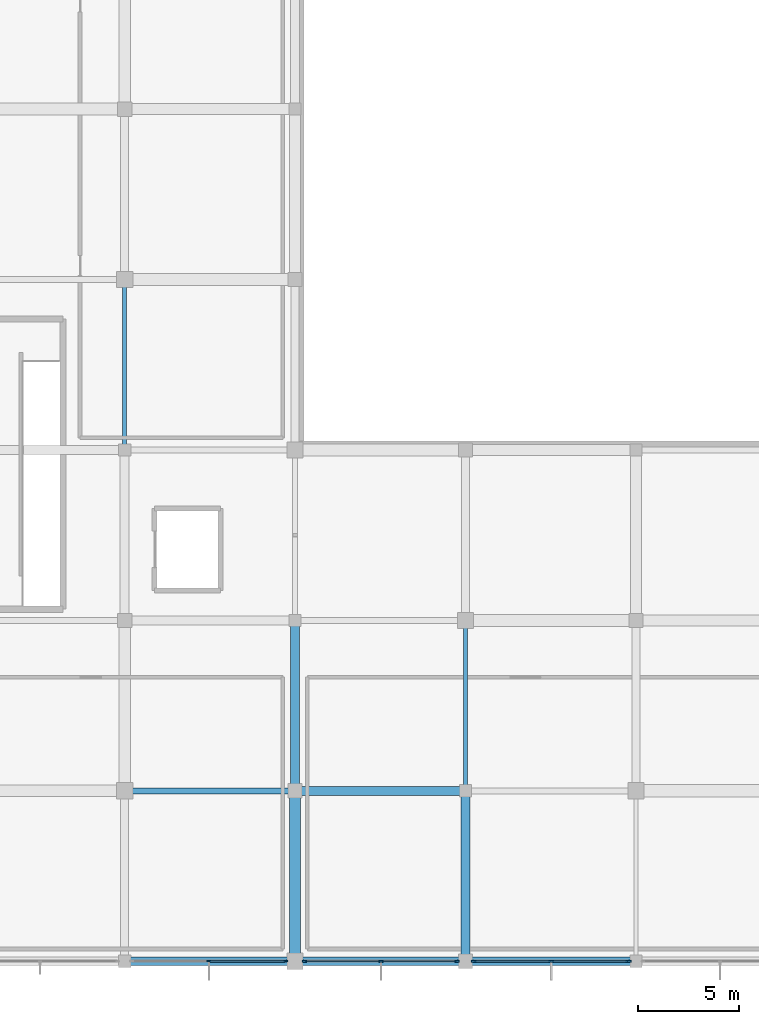
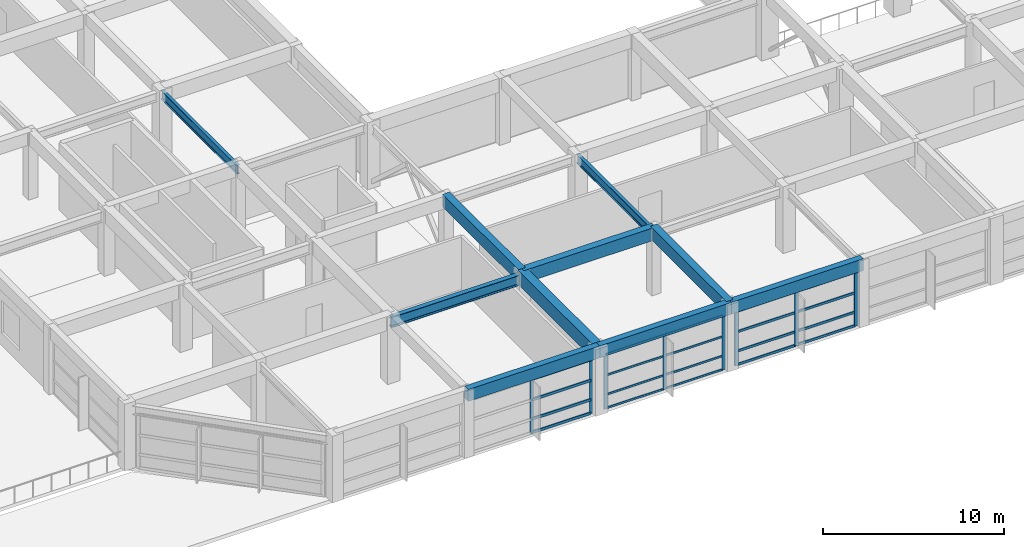
# One storey, part 11 of 56: 28 members, 10 beams, 3 elements without a shape of their own.
"""IFC4 building model written with IfcOpenShell, lengths in metres."""

from ifc_helpers import new_model, si_unit, direction, frame, origin, origin_2d, place, context, subcontext, project, spatial, rectangle, i_section, extrude, material, material_profile, profile_set, type_object, element, aggregate, save


model = new_model("IFC4")

# Units and contexts
model_context = context("Model", 3, precision=1e-05, world=origin(), true_north=direction((0.0, 1.0)))
body_context = subcontext(model_context, "Body", "Model", "MODEL_VIEW")
ifc_project = project(units=[si_unit("LENGTHUNIT", "METRE"), si_unit("AREAUNIT", "SQUARE_METRE"), si_unit("VOLUMEUNIT", "CUBIC_METRE"), si_unit("PLANEANGLEUNIT", "RADIAN"), si_unit("MASSUNIT", "GRAM", prefix="KILO")], contexts=[model_context])

# Site, building, storey
site_placement = place(None, origin())
site = spatial("IfcSite", under=ifc_project, at=site_placement, CompositionType="ELEMENT")
building_placement = place(site_placement, origin())
building = spatial("IfcBuilding", under=site, at=building_placement, Name="Xuanlan Plaza Opera House", CompositionType="ELEMENT")
storey_placement = place(building_placement, frame((0.0, 0.0, 18.89990234375)))
storey = spatial("IfcBuildingStorey", under=building, at=storey_placement, Name="L04", CompositionType="ELEMENT", Elevation=18.89990234375)

# Curtain wall, members
ifc_material_1 = material(Name="Anodised Aluminium 6063-T6 and Low-E Glass", Category="aluminium")
curtain_wall_type_1 = type_object("IfcCurtainWallType", Name="ENV-CW-CW-04", PredefinedType="USERDEFINED", material=ifc_material_1)
curtain_wall_1_placement = place(storey_placement, origin())
curtain_wall_1 = element("IfcCurtainWall", 1, at=curtain_wall_1_placement, inside=storey, type_object=curtain_wall_type_1, Name="Unitised Curtain Wall L04-002", ObjectType="UNITISED CURTAIN WALL", PredefinedType="USERDEFINED")
ifc_material_2 = material(Name="Anodised Aluminium 6063-T6", Category="aluminium")
ifc_material_profile_1 = material_profile(ifc_material_2, rectangle(XDim=0.074951171875, YDim=0.199951171875, at=origin_2d()), Name="ALU-M 75x200")
ifc_profile_set_1 = profile_set([ifc_material_profile_1], Name="Anodised Aluminium 6063-T6")
member_type_1 = type_object("IfcMemberType", Name="ENV-CWM-03", PredefinedType="MULLION", material=ifc_profile_set_1)
member_1_placement = place(storey_placement, frame((37.75, 16.800048828125, 0.0), z_axis=(0.0, 0.0, 1.0), x_axis=(0.0, 1.0, 0.0)))
member_1 = element("IfcMember", 2, at=member_1_placement, type_object=member_type_1, Name="CW-04 mullion 2", PredefinedType="MULLION", context=body_context, shape_type="SweptSolid", body=[
    extrude(rectangle(XDim=0.074951171875, YDim=0.199951171875, at=origin_2d()), origin(), (0.0, 0.0, 1.0), 3.68017578125),
])
member_2_placement = place(storey_placement, frame((41.54248046875, 16.800048828125, 0.0), z_axis=(0.0, 0.0, 1.0), x_axis=(0.0, 1.0, 0.0)))
member_2 = element("IfcMember", 3, at=member_2_placement, type_object=member_type_1, Name="CW-04 mullion 3", PredefinedType="MULLION", context=body_context, shape_type="SweptSolid", body=[
    extrude(rectangle(XDim=0.074951171875, YDim=0.199951171875, at=origin_2d()), origin(), (0.0, 0.0, 1.0), 3.68017578125),
])

curtain_wall_type_2 = type_object("IfcCurtainWallType", Name="ENV-CW-CW-01", PredefinedType="USERDEFINED", material=ifc_material_1)
curtain_wall_2_placement = place(storey_placement, origin())
curtain_wall_2 = element("IfcCurtainWall", 4, at=curtain_wall_2_placement, inside=storey, type_object=curtain_wall_type_2, Name="Unitised Curtain Wall L04-003", ObjectType="UNITISED CURTAIN WALL", PredefinedType="USERDEFINED")
ifc_material_profile_2 = material_profile(ifc_material_2, rectangle(XDim=0.080078125, YDim=0.219970703125, at=origin_2d()), Name="ALU-M 80x220")
ifc_profile_set_2 = profile_set([ifc_material_profile_2], Name="Anodised Aluminium 6063-T6")
member_type_2 = type_object("IfcMemberType", Name="ENV-CWM-04", PredefinedType="MULLION", material=ifc_profile_set_2)
member_3_placement = place(storey_placement, frame((42.4599609375, 16.800048828125, 0.0), z_axis=(0.0, 0.0, 1.0), x_axis=(0.0, 1.0, 0.0)))
member_3 = element("IfcMember", 5, at=member_3_placement, type_object=member_type_2, Name="CW-01 mullion 1", PredefinedType="MULLION", context=body_context, shape_type="SweptSolid", body=[
    extrude(rectangle(XDim=0.080078125, YDim=0.219970703125, at=origin_2d()), origin(), (0.0, 0.0, 1.0), 3.68017578125),
])
member_4_placement = place(storey_placement, frame((46.22509765625, 16.800048828125, 0.0), z_axis=(0.0, 0.0, 1.0), x_axis=(0.0, 1.0, 0.0)))
member_4 = element("IfcMember", 6, at=member_4_placement, type_object=member_type_2, Name="CW-01 mullion 2", PredefinedType="MULLION", context=body_context, shape_type="SweptSolid", body=[
    extrude(rectangle(XDim=0.080078125, YDim=0.219970703125, at=origin_2d()), origin(), (0.0, 0.0, 1.0), 3.68017578125),
])
member_5_placement = place(storey_placement, frame((49.989990234375, 16.800048828125, 0.0), z_axis=(0.0, 0.0, 1.0), x_axis=(0.0, 1.0, 0.0)))
member_5 = element("IfcMember", 7, at=member_5_placement, type_object=member_type_2, Name="CW-01 mullion 3", PredefinedType="MULLION", context=body_context, shape_type="SweptSolid", body=[
    extrude(rectangle(XDim=0.080078125, YDim=0.219970703125, at=origin_2d()), origin(), (0.0, 0.0, 1.0), 3.68017578125),
])

curtain_wall_type_3 = type_object("IfcCurtainWallType", Name="ENV-CW-CW-02", PredefinedType="USERDEFINED", material=ifc_material_1)
curtain_wall_3_placement = place(storey_placement, origin())
curtain_wall_3 = element("IfcCurtainWall", 8, at=curtain_wall_3_placement, inside=storey, type_object=curtain_wall_type_3, Name="Unitised Curtain Wall L04-004", ObjectType="UNITISED CURTAIN WALL", PredefinedType="USERDEFINED")
ifc_material_profile_3 = material_profile(ifc_material_2, rectangle(XDim=0.090087890625, YDim=0.25, at=origin_2d()), Name="ALU-M 90x250")
ifc_profile_set_3 = profile_set([ifc_material_profile_3], Name="Anodised Aluminium 6063-T6")
member_type_3 = type_object("IfcMemberType", Name="ENV-CWM-05", PredefinedType="MULLION", material=ifc_profile_set_3)
member_6_placement = place(storey_placement, frame((50.81494140625, 16.800048828125, 0.0), z_axis=(0.0, 0.0, 1.0), x_axis=(0.0, 1.0, 0.0)))
member_6 = element("IfcMember", 9, at=member_6_placement, type_object=member_type_3, Name="CW-02 mullion 1", PredefinedType="MULLION", context=body_context, shape_type="SweptSolid", body=[
    extrude(rectangle(XDim=0.090087890625, YDim=0.25, at=origin_2d()), origin(), (0.0, 0.0, 1.0), 3.68017578125),
])
member_7_placement = place(storey_placement, frame((54.625, 16.800048828125, 0.0), z_axis=(0.0, 0.0, 1.0), x_axis=(0.0, 1.0, 0.0)))
member_7 = element("IfcMember", 10, at=member_7_placement, type_object=member_type_3, Name="CW-02 mullion 2", PredefinedType="MULLION", context=body_context, shape_type="SweptSolid", body=[
    extrude(rectangle(XDim=0.090087890625, YDim=0.25, at=origin_2d()), origin(), (0.0, 0.0, 1.0), 3.68017578125),
])
member_8_placement = place(storey_placement, frame((58.43505859375, 16.800048828125, 0.0), z_axis=(0.0, 0.0, 1.0), x_axis=(0.0, 1.0, 0.0)))
member_8 = element("IfcMember", 11, at=member_8_placement, type_object=member_type_3, Name="CW-02 mullion 3", PredefinedType="MULLION", context=body_context, shape_type="SweptSolid", body=[
    extrude(rectangle(XDim=0.090087890625, YDim=0.25, at=origin_2d()), origin(), (0.0, 0.0, 1.0), 3.68017578125),
])

# Member
ifc_material_profile_4 = material_profile(ifc_material_2, rectangle(XDim=0.070068359375, YDim=0.135009765625, at=origin_2d()), Name="ALU-T 70x135")
ifc_profile_set_4 = profile_set([ifc_material_profile_4], Name="Anodised Aluminium 6063-T6")
member_type_4 = type_object("IfcMemberType", Name="ENV-CWT-02", PredefinedType="USERDEFINED", material=ifc_profile_set_4)
member_9_placement = place(storey_placement, frame((42.5, 16.800048828125, 0.03515625), z_axis=(1.0, 0.0, 0.0), x_axis=(0.0, 1.0, 0.0)))
member_9 = element("IfcMember", 12, at=member_9_placement, type_object=member_type_4, Name="CW-01 transom 1.1", ObjectType="TRANSOM", PredefinedType="USERDEFINED", context=body_context, shape_type="SweptSolid", body=[
    extrude(rectangle(XDim=0.070068359375, YDim=0.135009765625, at=origin_2d()), origin(), (0.0, 0.0, 1.0), 3.68505859375),
])

member_10_placement = place(storey_placement, frame((42.5, 16.800048828125, 0.9501953125), z_axis=(1.0, 0.0, 0.0), x_axis=(0.0, 1.0, 0.0)))
member_10 = element("IfcMember", 13, at=member_10_placement, type_object=member_type_4, Name="CW-01 transom 1.2", ObjectType="TRANSOM", PredefinedType="USERDEFINED", context=body_context, shape_type="SweptSolid", body=[
    extrude(rectangle(XDim=0.070068359375, YDim=0.135009765625, at=origin_2d()), origin(), (0.0, 0.0, 1.0), 3.68505859375),
])

member_11_placement = place(storey_placement, frame((42.5, 16.800048828125, 2.25), z_axis=(1.0, 0.0, 0.0), x_axis=(0.0, 1.0, 0.0)))
member_11 = element("IfcMember", 14, at=member_11_placement, type_object=member_type_4, Name="CW-01 transom 1.3", ObjectType="TRANSOM", PredefinedType="USERDEFINED", context=body_context, shape_type="SweptSolid", body=[
    extrude(rectangle(XDim=0.070068359375, YDim=0.135009765625, at=origin_2d()), origin(), (0.0, 0.0, 1.0), 3.68505859375),
])

member_12_placement = place(storey_placement, frame((42.5, 16.800048828125, 3.64501953125), z_axis=(1.0, 0.0, 0.0), x_axis=(0.0, 1.0, 0.0)))
member_12 = element("IfcMember", 15, at=member_12_placement, type_object=member_type_4, Name="CW-01 transom 1.4", ObjectType="TRANSOM", PredefinedType="USERDEFINED", context=body_context, shape_type="SweptSolid", body=[
    extrude(rectangle(XDim=0.070068359375, YDim=0.135009765625, at=origin_2d()), origin(), (0.0, 0.0, 1.0), 3.68505859375),
])

member_13_placement = place(storey_placement, frame((46.264892578125, 16.800048828125, 0.03515625), z_axis=(1.0, 0.0, 0.0), x_axis=(0.0, 1.0, 0.0)))
member_13 = element("IfcMember", 16, at=member_13_placement, type_object=member_type_4, Name="CW-01 transom 2.1", ObjectType="TRANSOM", PredefinedType="USERDEFINED", context=body_context, shape_type="SweptSolid", body=[
    extrude(rectangle(XDim=0.070068359375, YDim=0.135009765625, at=origin_2d()), origin(), (0.0, 0.0, 1.0), 3.68505859375),
])

member_14_placement = place(storey_placement, frame((46.264892578125, 16.800048828125, 0.9501953125), z_axis=(1.0, 0.0, 0.0), x_axis=(0.0, 1.0, 0.0)))
member_14 = element("IfcMember", 17, at=member_14_placement, type_object=member_type_4, Name="CW-01 transom 2.2", ObjectType="TRANSOM", PredefinedType="USERDEFINED", context=body_context, shape_type="SweptSolid", body=[
    extrude(rectangle(XDim=0.070068359375, YDim=0.135009765625, at=origin_2d()), origin(), (0.0, 0.0, 1.0), 3.68505859375),
])

member_15_placement = place(storey_placement, frame((46.264892578125, 16.800048828125, 2.25), z_axis=(1.0, 0.0, 0.0), x_axis=(0.0, 1.0, 0.0)))
member_15 = element("IfcMember", 18, at=member_15_placement, type_object=member_type_4, Name="CW-01 transom 2.3", ObjectType="TRANSOM", PredefinedType="USERDEFINED", context=body_context, shape_type="SweptSolid", body=[
    extrude(rectangle(XDim=0.070068359375, YDim=0.135009765625, at=origin_2d()), origin(), (0.0, 0.0, 1.0), 3.68505859375),
])

member_16_placement = place(storey_placement, frame((46.264892578125, 16.800048828125, 3.64501953125), z_axis=(1.0, 0.0, 0.0), x_axis=(0.0, 1.0, 0.0)))
member_16 = element("IfcMember", 19, at=member_16_placement, type_object=member_type_4, Name="CW-01 transom 2.4", ObjectType="TRANSOM", PredefinedType="USERDEFINED", context=body_context, shape_type="SweptSolid", body=[
    extrude(rectangle(XDim=0.070068359375, YDim=0.135009765625, at=origin_2d()), origin(), (0.0, 0.0, 1.0), 3.68505859375),
])

aggregate(curtain_wall_2, [member_3, member_4, member_5, member_9, member_10, member_11, member_12, member_13, member_14, member_15, member_16])

ifc_material_profile_5 = material_profile(ifc_material_2, rectangle(XDim=0.080078125, YDim=0.1650390625, at=origin_2d()), Name="ALU-T 80x165")
ifc_profile_set_5 = profile_set([ifc_material_profile_5], Name="Anodised Aluminium 6063-T6")
member_type_5 = type_object("IfcMemberType", Name="ENV-CWT-04", PredefinedType="USERDEFINED", material=ifc_profile_set_5)
member_17_placement = place(storey_placement, frame((50.860107421875, 16.800048828125, 0.0400390625), z_axis=(1.0, 0.0, 0.0), x_axis=(0.0, 1.0, 0.0)))
member_17 = element("IfcMember", 20, at=member_17_placement, type_object=member_type_5, Name="CW-02 transom 1.1", ObjectType="TRANSOM", PredefinedType="USERDEFINED", context=body_context, shape_type="SweptSolid", body=[
    extrude(rectangle(XDim=0.080078125, YDim=0.1650390625, at=origin_2d()), origin(), (0.0, 0.0, 1.0), 3.719970703125),
])

member_18_placement = place(storey_placement, frame((50.860107421875, 16.800048828125, 0.9501953125), z_axis=(1.0, 0.0, 0.0), x_axis=(0.0, 1.0, 0.0)))
member_18 = element("IfcMember", 21, at=member_18_placement, type_object=member_type_5, Name="CW-02 transom 1.2", ObjectType="TRANSOM", PredefinedType="USERDEFINED", context=body_context, shape_type="SweptSolid", body=[
    extrude(rectangle(XDim=0.080078125, YDim=0.1650390625, at=origin_2d()), origin(), (0.0, 0.0, 1.0), 3.719970703125),
])

member_19_placement = place(storey_placement, frame((50.860107421875, 16.800048828125, 2.25), z_axis=(1.0, 0.0, 0.0), x_axis=(0.0, 1.0, 0.0)))
member_19 = element("IfcMember", 22, at=member_19_placement, type_object=member_type_5, Name="CW-02 transom 1.3", ObjectType="TRANSOM", PredefinedType="USERDEFINED", context=body_context, shape_type="SweptSolid", body=[
    extrude(rectangle(XDim=0.080078125, YDim=0.1650390625, at=origin_2d()), origin(), (0.0, 0.0, 1.0), 3.719970703125),
])

member_20_placement = place(storey_placement, frame((50.860107421875, 16.800048828125, 3.64013671875), z_axis=(1.0, 0.0, 0.0), x_axis=(0.0, 1.0, 0.0)))
member_20 = element("IfcMember", 23, at=member_20_placement, type_object=member_type_5, Name="CW-02 transom 1.4", ObjectType="TRANSOM", PredefinedType="USERDEFINED", context=body_context, shape_type="SweptSolid", body=[
    extrude(rectangle(XDim=0.080078125, YDim=0.1650390625, at=origin_2d()), origin(), (0.0, 0.0, 1.0), 3.719970703125),
])

member_21_placement = place(storey_placement, frame((54.669921875, 16.800048828125, 0.0400390625), z_axis=(1.0, 0.0, 0.0), x_axis=(0.0, 1.0, 0.0)))
member_21 = element("IfcMember", 24, at=member_21_placement, type_object=member_type_5, Name="CW-02 transom 2.1", ObjectType="TRANSOM", PredefinedType="USERDEFINED", context=body_context, shape_type="SweptSolid", body=[
    extrude(rectangle(XDim=0.080078125, YDim=0.1650390625, at=origin_2d()), origin(), (0.0, 0.0, 1.0), 3.719970703125),
])

member_22_placement = place(storey_placement, frame((54.669921875, 16.800048828125, 0.9501953125), z_axis=(1.0, 0.0, 0.0), x_axis=(0.0, 1.0, 0.0)))
member_22 = element("IfcMember", 25, at=member_22_placement, type_object=member_type_5, Name="CW-02 transom 2.2", ObjectType="TRANSOM", PredefinedType="USERDEFINED", context=body_context, shape_type="SweptSolid", body=[
    extrude(rectangle(XDim=0.080078125, YDim=0.1650390625, at=origin_2d()), origin(), (0.0, 0.0, 1.0), 3.719970703125),
])

member_23_placement = place(storey_placement, frame((54.669921875, 16.800048828125, 2.25), z_axis=(1.0, 0.0, 0.0), x_axis=(0.0, 1.0, 0.0)))
member_23 = element("IfcMember", 26, at=member_23_placement, type_object=member_type_5, Name="CW-02 transom 2.3", ObjectType="TRANSOM", PredefinedType="USERDEFINED", context=body_context, shape_type="SweptSolid", body=[
    extrude(rectangle(XDim=0.080078125, YDim=0.1650390625, at=origin_2d()), origin(), (0.0, 0.0, 1.0), 3.719970703125),
])

member_24_placement = place(storey_placement, frame((54.669921875, 16.800048828125, 3.64013671875), z_axis=(1.0, 0.0, 0.0), x_axis=(0.0, 1.0, 0.0)))
member_24 = element("IfcMember", 27, at=member_24_placement, type_object=member_type_5, Name="CW-02 transom 2.4", ObjectType="TRANSOM", PredefinedType="USERDEFINED", context=body_context, shape_type="SweptSolid", body=[
    extrude(rectangle(XDim=0.080078125, YDim=0.1650390625, at=origin_2d()), origin(), (0.0, 0.0, 1.0), 3.719970703125),
])

aggregate(curtain_wall_3, [member_6, member_7, member_8, member_17, member_18, member_19, member_20, member_21, member_22, member_23, member_24])

ifc_material_profile_6 = material_profile(ifc_material_2, rectangle(XDim=0.090087890625, YDim=0.179931640625, at=origin_2d()), Name="ALU-T 90x180")
ifc_profile_set_6 = profile_set([ifc_material_profile_6], Name="Anodised Aluminium 6063-T6")
member_type_6 = type_object("IfcMemberType", Name="ENV-CWT-05", PredefinedType="USERDEFINED", material=ifc_profile_set_6)
member_25_placement = place(storey_placement, frame((37.78759765625, 16.800048828125, 0.045166015625), z_axis=(1.0, 0.0, 0.0), x_axis=(0.0, 1.0, 0.0)))
member_25 = element("IfcMember", 28, at=member_25_placement, type_object=member_type_6, Name="CW-04 transom 2.1", ObjectType="TRANSOM", PredefinedType="USERDEFINED", context=body_context, shape_type="SweptSolid", body=[
    extrude(rectangle(XDim=0.090087890625, YDim=0.179931640625, at=origin_2d()), origin(), (0.0, 0.0, 1.0), 3.71728515625),
])

member_26_placement = place(storey_placement, frame((37.78759765625, 16.800048828125, 0.9501953125), z_axis=(1.0, 0.0, 0.0), x_axis=(0.0, 1.0, 0.0)))
member_26 = element("IfcMember", 29, at=member_26_placement, type_object=member_type_6, Name="CW-04 transom 2.2", ObjectType="TRANSOM", PredefinedType="USERDEFINED", context=body_context, shape_type="SweptSolid", body=[
    extrude(rectangle(XDim=0.090087890625, YDim=0.179931640625, at=origin_2d()), origin(), (0.0, 0.0, 1.0), 3.71728515625),
])

member_27_placement = place(storey_placement, frame((37.78759765625, 16.800048828125, 2.25), z_axis=(1.0, 0.0, 0.0), x_axis=(0.0, 1.0, 0.0)))
member_27 = element("IfcMember", 30, at=member_27_placement, type_object=member_type_6, Name="CW-04 transom 2.3", ObjectType="TRANSOM", PredefinedType="USERDEFINED", context=body_context, shape_type="SweptSolid", body=[
    extrude(rectangle(XDim=0.090087890625, YDim=0.179931640625, at=origin_2d()), origin(), (0.0, 0.0, 1.0), 3.71728515625),
])

member_28_placement = place(storey_placement, frame((37.78759765625, 16.800048828125, 3.635009765625), z_axis=(1.0, 0.0, 0.0), x_axis=(0.0, 1.0, 0.0)))
member_28 = element("IfcMember", 31, at=member_28_placement, type_object=member_type_6, Name="CW-04 transom 2.4", ObjectType="TRANSOM", PredefinedType="USERDEFINED", context=body_context, shape_type="SweptSolid", body=[
    extrude(rectangle(XDim=0.090087890625, YDim=0.179931640625, at=origin_2d()), origin(), (0.0, 0.0, 1.0), 3.71728515625),
])

aggregate(curtain_wall_1, [member_1, member_2, member_25, member_26, member_27, member_28])

# Beams
ifc_material_3 = material(Name="Concrete C50", Category="concrete")
ifc_material_profile_7 = material_profile(ifc_material_3, rectangle(XDim=0.550048828125, YDim=0.949951171875, at=origin_2d()), Name="RC-BM 550x950")
ifc_profile_set_7 = profile_set([ifc_material_profile_7], Name="Concrete C50")
beam_type_1 = type_object("IfcBeamType", Name="STR-BM-B-02", PredefinedType="BEAM", material=ifc_profile_set_7)
beam_1_placement = place(storey_placement, frame((42.0, 16.800048828125, 4.025146484375), z_axis=(0.0, 1.0, 0.0), x_axis=(-1.0, 0.0, 0.0)))
element("IfcBeam", 32, at=beam_1_placement, inside=storey, type_object=beam_type_1, Name="Grid Beam Y L04 6/C-D", PredefinedType="BEAM", context=body_context, shape_type="SweptSolid", body=[
    extrude(rectangle(XDim=0.550048828125, YDim=0.949951171875, at=origin_2d()), origin(), (0.0, 0.0, 1.0), 8.39990234375),
])
ifc_material_4 = material(Name="Concrete C40", Category="concrete")
ifc_material_profile_8 = material_profile(ifc_material_4, rectangle(XDim=0.449951171875, YDim=0.85009765625, at=origin_2d()), Name="RC-BM 450x850")
ifc_profile_set_8 = profile_set([ifc_material_profile_8], Name="Concrete C40")
beam_type_2 = type_object("IfcBeamType", Name="STR-BM-B-04", PredefinedType="BEAM", material=ifc_profile_set_8)
beam_2_placement = place(storey_placement, frame((42.0, 25.199951171875, 4.0751953125), z_axis=(1.0, 0.0, 0.0), x_axis=(0.0, 1.0, 0.0)))
element("IfcBeam", 33, at=beam_2_placement, inside=storey, type_object=beam_type_2, Name="Grid Beam X L04 6-7/D", PredefinedType="BEAM", context=body_context, shape_type="SweptSolid", body=[
    extrude(rectangle(XDim=0.449951171875, YDim=0.85009765625, at=origin_2d()), origin(), (0.0, 0.0, 1.0), 8.39990234375),
])
beam_3_placement = place(storey_placement, frame((42.0, 25.199951171875, 4.0751953125), z_axis=(0.0, 1.0, 0.0), x_axis=(-1.0, 0.0, 0.0)))
element("IfcBeam", 34, at=beam_3_placement, inside=storey, type_object=beam_type_2, Name="Grid Beam Y L04 6/D-E", PredefinedType="BEAM", context=body_context, shape_type="SweptSolid", body=[
    extrude(rectangle(XDim=0.449951171875, YDim=0.85009765625, at=origin_2d()), origin(), (0.0, 0.0, 1.0), 8.400146484375),
])
beam_4_placement = place(storey_placement, frame((50.39990234375, 16.800048828125, 4.0751953125), z_axis=(0.0, 1.0, 0.0), x_axis=(-1.0, 0.0, 0.0)))
element("IfcBeam", 35, at=beam_4_placement, inside=storey, type_object=beam_type_2, Name="Grid Beam Y L04 7/C-D", PredefinedType="BEAM", context=body_context, shape_type="SweptSolid", body=[
    extrude(rectangle(XDim=0.449951171875, YDim=0.85009765625, at=origin_2d()), origin(), (0.0, 0.0, 1.0), 8.39990234375),
])
ifc_material_5 = material(Name="Steel Q355B", Category="steel")
ifc_material_profile_9 = material_profile(ifc_material_5, i_section(OverallWidth=0.300048828125, OverallDepth=0.699951171875, WebThickness=0.012939453125, FlangeThickness=0.02392578125, FilletRadius=0.02392578125, at=origin_2d()), Name="HN 700x300x13x24")
ifc_profile_set_9 = profile_set([ifc_material_profile_9], Name="Steel Q355B")
beam_type_3 = type_object("IfcBeamType", Name="STR-BM-SB-03", PredefinedType="BEAM", material=ifc_profile_set_9)
beam_5_placement = place(storey_placement, frame((33.60009765625, 25.199951171875, 3.885009765625), z_axis=(1.0, 0.0, 0.0), x_axis=(0.0, 1.0, 0.0)))
element("IfcBeam", 36, at=beam_5_placement, inside=storey, type_object=beam_type_3, Name="Grid Beam X L04 5-6/D", PredefinedType="BEAM", context=body_context, shape_type="SweptSolid", body=[
    extrude(i_section(OverallWidth=0.300048828125, OverallDepth=0.699951171875, WebThickness=0.012939453125, FlangeThickness=0.02392578125, FilletRadius=0.02392578125, at=origin_2d()), origin(), (0.0, 0.0, 1.0), 8.39990234375),
])
ifc_material_profile_10 = material_profile(ifc_material_5, i_section(OverallWidth=0.199951171875, OverallDepth=0.60009765625, WebThickness=0.010986328125, FlangeThickness=0.01708984375, FilletRadius=0.02197265625, at=origin_2d()), Name="HN 600x200x11x17")
ifc_profile_set_10 = profile_set([ifc_material_profile_10], Name="Steel Q355B")
beam_type_4 = type_object("IfcBeamType", Name="STR-BM-SB-04", PredefinedType="BEAM", material=ifc_profile_set_10)
beam_6_placement = place(storey_placement, frame((33.60009765625, 42.0, 3.93505859375), z_axis=(0.0, 1.0, 0.0), x_axis=(-1.0, 0.0, 0.0)))
element("IfcBeam", 37, at=beam_6_placement, inside=storey, type_object=beam_type_4, Name="Grid Beam Y L04 5/F-G", PredefinedType="BEAM", context=body_context, shape_type="SweptSolid", body=[
    extrude(i_section(OverallWidth=0.199951171875, OverallDepth=0.60009765625, WebThickness=0.010986328125, FlangeThickness=0.01708984375, FilletRadius=0.02197265625, at=origin_2d()), origin(), (0.0, 0.0, 1.0), 8.39990234375),
])
beam_7_placement = place(storey_placement, frame((50.39990234375, 25.199951171875, 3.93505859375), z_axis=(0.0, 1.0, 0.0), x_axis=(-1.0, 0.0, 0.0)))
element("IfcBeam", 38, at=beam_7_placement, inside=storey, type_object=beam_type_4, Name="Grid Beam Y L04 7/D-E", PredefinedType="BEAM", context=body_context, shape_type="SweptSolid", body=[
    extrude(i_section(OverallWidth=0.199951171875, OverallDepth=0.60009765625, WebThickness=0.010986328125, FlangeThickness=0.01708984375, FilletRadius=0.02197265625, at=origin_2d()), origin(), (0.0, 0.0, 1.0), 8.400146484375),
])
ifc_material_profile_11 = material_profile(ifc_material_4, rectangle(XDim=0.39990234375, YDim=0.800048828125, at=origin_2d()), Name="RC-SPD 400x800")
ifc_profile_set_11 = profile_set([ifc_material_profile_11], Name="Concrete C40")
beam_type_5 = type_object("IfcBeamType", Name="STR-BM-SP-01", PredefinedType="SPANDREL", material=ifc_profile_set_11)
for number, where, z_axis, x_axis, name in (
    (39, (33.60009765625, 16.800048828125, 4.10009765625), (1.0, 0.0, 0.0), (0.0, 1.0, 0.0), "Grid Beam X L04 5-6/C"),
    (40, (42.0, 16.800048828125, 4.10009765625), (1.0, 0.0, 0.0), (0.0, 1.0, 0.0), "Grid Beam X L04 6-7/C"),
):
    element("IfcBeam", number, at=place(storey_placement, frame(where, z_axis=z_axis, x_axis=x_axis)), inside=storey, type_object=beam_type_5, Name=name, PredefinedType="SPANDREL", context=body_context, shape_type="SweptSolid", body=[
        extrude(rectangle(XDim=0.39990234375, YDim=0.800048828125, at=origin_2d()), origin(), (0.0, 0.0, 1.0), 8.39990234375),
    ])
beam_8_placement = place(storey_placement, frame((50.39990234375, 16.800048828125, 4.10009765625), z_axis=(1.0, 0.0, 0.0), x_axis=(0.0, 1.0, 0.0)))
element("IfcBeam", 41, at=beam_8_placement, inside=storey, type_object=beam_type_5, Name="Grid Beam X L04 7-8/C", PredefinedType="SPANDREL", context=body_context, shape_type="SweptSolid", body=[
    extrude(rectangle(XDim=0.39990234375, YDim=0.800048828125, at=origin_2d()), origin(), (0.0, 0.0, 1.0), 8.400146484375),
])

save(model, "model.ifc")
